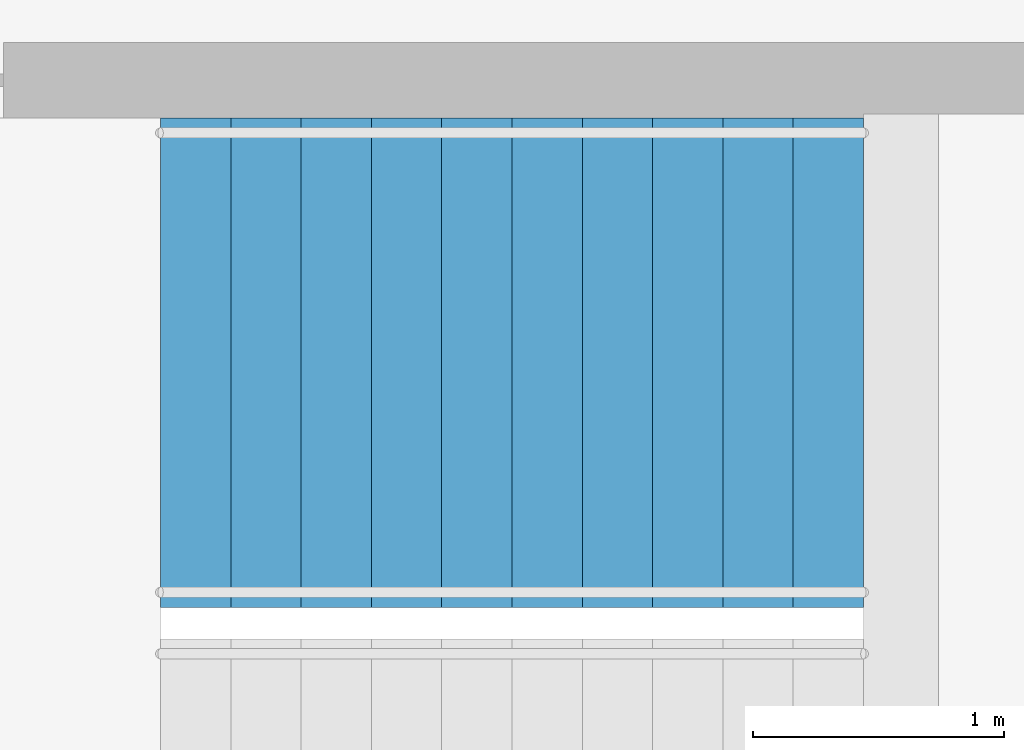
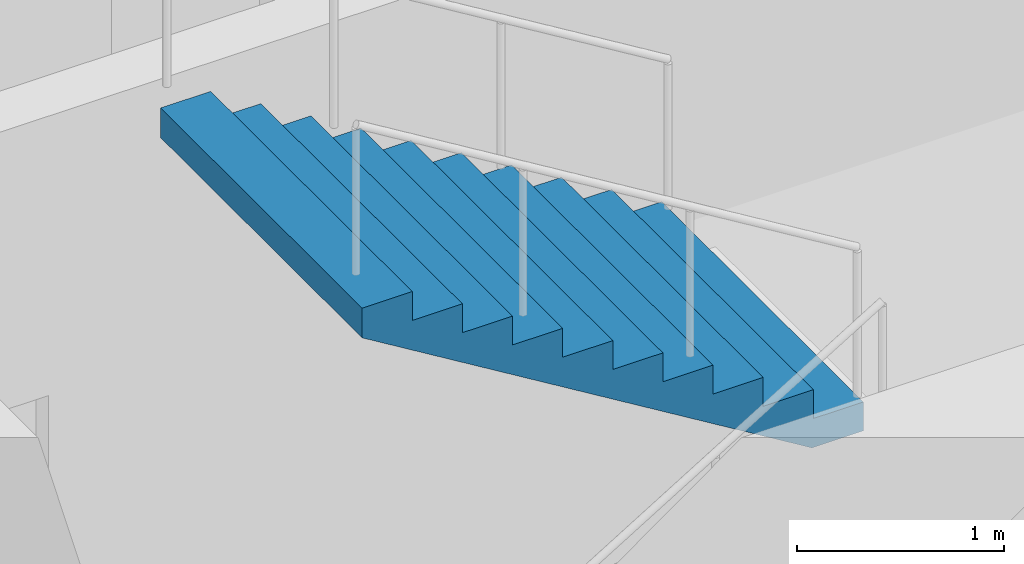
# One storey, part 20 of 23: 1 stair flight, 1 element without a shape of its own.
"""IFC4 building model written with IfcOpenShell, lengths in metres."""

from ifc_helpers import new_model, si_unit, direction, frame, origin, place, context, subcontext, project, spatial, triangles, material, type_object, element, aggregate, save


model = new_model("IFC4")

# Units and contexts
model_context = context("Model", 3, precision=1e-05, world=origin(), true_north=direction((0.0, 1.0)))
body_context = subcontext(model_context, "Body", "Model", "MODEL_VIEW")
ifc_project = project(units=[si_unit("LENGTHUNIT", "METRE"), si_unit("AREAUNIT", "SQUARE_METRE"), si_unit("VOLUMEUNIT", "CUBIC_METRE"), si_unit("PLANEANGLEUNIT", "RADIAN"), si_unit("MASSUNIT", "GRAM", prefix="KILO")], contexts=[model_context])

# Site, building, storey
site_placement = place(None, origin())
site = spatial("IfcSite", under=ifc_project, at=site_placement, CompositionType="ELEMENT")
building_placement = place(site_placement, origin())
building = spatial("IfcBuilding", under=site, at=building_placement, Name="Orbita Commons", CompositionType="ELEMENT")
storey_placement = place(building_placement, frame((0.0, 0.0, 174.85009765625)))
storey = spatial("IfcBuildingStorey", under=building, at=storey_placement, Name="L43", CompositionType="ELEMENT", Elevation=174.85009765625)

# Stair, stair flight
ifc_material_1 = material(Name="Precast concrete C40/50", Category="concrete")
stair_type = type_object("IfcStairType", Name="Exit stair S1 2 flights 11 risers 170", PredefinedType="HALF_TURN_STAIR", material=ifc_material_1)
stair_placement = place(storey_placement, origin())
stair = element("IfcStair", 1, at=stair_placement, inside=storey, type_object=stair_type, Name="Exit stair S1 L43", PredefinedType="HALF_TURN_STAIR")
ifc_material_2 = material(Name="Precast concrete C40/50", Category="concrete")
stair_flight_type = type_object("IfcStairFlightType", Name="Stair flight 11 risers 170 x 280", PredefinedType="STRAIGHT", material=ifc_material_2)
stair_flight_placement = place(storey_placement, frame((23.25, 29.27490234375, 1.875), z_axis=(0.0, 0.0, 1.0), x_axis=(-1.0, 0.0, 0.0)))
stair_flight = element("IfcStairFlight", 2, at=stair_flight_placement, type_object=stair_flight_type, Name="S1 flight 2", NumberOfRisers=11, NumberOfTreads=10, PredefinedType="STRAIGHT", RiserHeight=0.170454545, TreadLength=0.28, context=body_context, shape_type="Tessellation", body=[
    triangles([(0.0, 0.974976, 0.0), (0.0, 0.974976, 0.021307), (0.0, 0.81248, 0.021307), (0.0, 0.81248, 0.0), (0.0, 0.649984, 0.021307), (0.0, 0.649984, 0.0), (0.0, 0.487488, 0.021307), (0.0, 0.487488, 0.0), (0.0, 0.324992, 0.021307), (0.0, 0.324992, 0.0), (0.0, 0.162496, 0.021307), (0.0, 0.162496, 0.0), (0.0, 0.0, 0.021307), (0.0, 0.0, 0.0), (0.0, -0.162496, 0.021307), (0.0, -0.162496, 0.0), (0.0, -0.324992, 0.021307), (0.0, -0.324992, 0.0), (0.0, -0.487488, 0.021307), (0.0, -0.487488, 0.0), (0.0, -0.649984, 0.021307), (0.0, -0.649984, 0.0), (0.0, -0.81248, 0.021307), (0.0, -0.81248, 0.0), (0.0, -0.974976, 0.021307), (0.0, -0.974976, 0.0), (0.0, 0.974976, 0.042614), (0.0, 0.81248, 0.042614), (0.0, 0.649984, 0.042614), (0.0, 0.487488, 0.042614), (0.0, 0.324992, 0.042614), (0.0, 0.162496, 0.042614), (0.0, 0.0, 0.042614), (0.0, -0.162496, 0.042614), (0.0, -0.324992, 0.042614), (0.0, -0.487488, 0.042614), (0.0, -0.649984, 0.042614), (0.0, -0.81248, 0.042614), (0.0, -0.974976, 0.042614), (0.0, 0.974976, 0.06392), (0.0, 0.81248, 0.06392), (0.0, 0.649984, 0.06392), (0.0, 0.487488, 0.06392), (0.0, 0.324992, 0.06392), (0.0, 0.162496, 0.06392), (0.0, 0.0, 0.06392), (0.0, -0.162496, 0.06392), (0.0, -0.324992, 0.06392), (0.0, -0.487488, 0.06392), (0.0, -0.649984, 0.06392), (0.0, -0.81248, 0.06392), (0.0, -0.974976, 0.06392), (0.0, 0.974976, 0.085227), (0.0, 0.81248, 0.085227), (0.0, 0.649984, 0.085227), (0.0, 0.487488, 0.085227), (0.0, 0.324992, 0.085227), (0.0, 0.162496, 0.085227), (0.0, 0.0, 0.085227), (0.0, -0.162496, 0.085227), (0.0, -0.324992, 0.085227), (0.0, -0.487488, 0.085227), (0.0, -0.649984, 0.085227), (0.0, -0.81248, 0.085227), (0.0, -0.974976, 0.085227), (0.0, 0.974976, 0.106534), (0.0, 0.81248, 0.106534), (0.0, 0.649984, 0.106534), (0.0, 0.487488, 0.106534), (0.0, 0.324992, 0.106534), (0.0, 0.162496, 0.106534), (0.0, 0.0, 0.106534), (0.0, -0.162496, 0.106534), (0.0, -0.324992, 0.106534), (0.0, -0.487488, 0.106534), (0.0, -0.649984, 0.106534), (0.0, -0.81248, 0.106534), (0.0, -0.974976, 0.106534), (0.0, 0.974976, 0.127841), (0.0, 0.81248, 0.127841), (0.0, 0.649984, 0.127841), (0.0, 0.487488, 0.127841), (0.0, 0.324992, 0.127841), (0.0, 0.162496, 0.127841), (0.0, 0.0, 0.127841), (0.0, -0.162496, 0.127841), (0.0, -0.324992, 0.127841), (0.0, -0.487488, 0.127841), (0.0, -0.649984, 0.127841), (0.0, -0.81248, 0.127841), (0.0, -0.974976, 0.127841), (0.0, 0.974976, 0.149148), (0.0, 0.81248, 0.149148), (0.0, 0.649984, 0.149148), (0.0, 0.487488, 0.149148), (0.0, 0.324992, 0.149148), (0.0, 0.162496, 0.149148), (0.0, 0.0, 0.149148), (0.0, -0.162496, 0.149148), (0.0, -0.324992, 0.149148), (0.0, -0.487488, 0.149148), (0.0, -0.649984, 0.149148), (0.0, -0.81248, 0.149148), (0.0, -0.974976, 0.149148), (0.0, 0.974976, 0.170455), (0.0, 0.81248, 0.170455), (0.0, 0.649984, 0.170455), (0.0, 0.487488, 0.170455), (0.0, 0.324992, 0.170455), (0.0, 0.162496, 0.170455), (0.0, 0.0, 0.170455), (0.0, -0.162496, 0.170455), (0.0, -0.324992, 0.170455), (0.0, -0.487488, 0.170455), (0.0, -0.649984, 0.170455), (0.0, -0.81248, 0.170455), (0.0, -0.974976, 0.170455), (0.28, 0.974976, 0.170455), (0.28, 0.81248, 0.170455), (0.28, 0.649984, 0.170455), (0.28, 0.487488, 0.170455), (0.28, 0.324992, 0.170455), (0.28, 0.162496, 0.170455), (0.28, 0.0, 0.170455), (0.28, -0.162496, 0.170455), (0.28, -0.324992, 0.170455), (0.28, -0.487488, 0.170455), (0.28, -0.649984, 0.170455), (0.28, -0.81248, 0.170455), (0.28, -0.974976, 0.170455), (0.28, 0.974976, 0.340909), (0.28, 0.81248, 0.340909), (0.28, 0.649984, 0.340909), (0.28, 0.487488, 0.340909), (0.28, 0.324992, 0.340909), (0.28, 0.162496, 0.340909), (0.28, 0.0, 0.340909), (0.28, -0.162496, 0.340909), (0.28, -0.324992, 0.340909), (0.28, -0.487488, 0.340909), (0.28, -0.649984, 0.340909), (0.28, -0.81248, 0.340909), (0.28, -0.974976, 0.340909), (0.56, 0.974976, 0.340909), (0.56, 0.81248, 0.340909), (0.56, 0.649984, 0.340909), (0.56, 0.487488, 0.340909), (0.56, 0.324992, 0.340909), (0.56, 0.162496, 0.340909), (0.56, 0.0, 0.340909), (0.56, -0.162496, 0.340909), (0.56, -0.324992, 0.340909), (0.56, -0.487488, 0.340909), (0.56, -0.649984, 0.340909), (0.56, -0.81248, 0.340909), (0.56, -0.974976, 0.340909), (0.56, 0.974976, 0.511364), (0.56, 0.81248, 0.511364), (0.56, 0.649984, 0.511364), (0.56, 0.487488, 0.511364), (0.56, 0.324992, 0.511364), (0.56, 0.162496, 0.511364), (0.56, 0.0, 0.511364), (0.56, -0.162496, 0.511364), (0.56, -0.324992, 0.511364), (0.56, -0.487488, 0.511364), (0.56, -0.649984, 0.511364), (0.56, -0.81248, 0.511364), (0.56, -0.974976, 0.511364), (0.84, 0.974976, 0.511364), (0.84, 0.81248, 0.511364), (0.84, 0.649984, 0.511364), (0.84, 0.487488, 0.511364), (0.84, 0.324992, 0.511364), (0.84, 0.162496, 0.511364), (0.84, 0.0, 0.511364), (0.84, -0.162496, 0.511364), (0.84, -0.324992, 0.511364), (0.84, -0.487488, 0.511364), (0.84, -0.649984, 0.511364), (0.84, -0.81248, 0.511364), (0.84, -0.974976, 0.511364), (0.84, 0.974976, 0.681818), (0.84, 0.81248, 0.681818), (0.84, 0.649984, 0.681818), (0.84, 0.487488, 0.681818), (0.84, 0.324992, 0.681818), (0.84, 0.162496, 0.681818), (0.84, 0.0, 0.681818), (0.84, -0.162496, 0.681818), (0.84, -0.324992, 0.681818), (0.84, -0.487488, 0.681818), (0.84, -0.649984, 0.681818), (0.84, -0.81248, 0.681818), (0.84, -0.974976, 0.681818), (1.12, 0.974976, 0.681818), (1.12, 0.81248, 0.681818), (1.12, 0.649984, 0.681818), (1.12, 0.487488, 0.681818), (1.12, 0.324992, 0.681818), (1.12, 0.162496, 0.681818), (1.12, 0.0, 0.681818), (1.12, -0.162496, 0.681818), (1.12, -0.324992, 0.681818), (1.12, -0.487488, 0.681818), (1.12, -0.649984, 0.681818), (1.12, -0.81248, 0.681818), (1.12, -0.974976, 0.681818), (1.12, 0.974976, 0.852273), (1.12, 0.81248, 0.852273), (1.12, 0.649984, 0.852273), (1.12, 0.487488, 0.852273), (1.12, 0.324992, 0.852273), (1.12, 0.162496, 0.852273), (1.12, 0.0, 0.852273), (1.12, -0.162496, 0.852273), (1.12, -0.324992, 0.852273), (1.12, -0.487488, 0.852273), (1.12, -0.649984, 0.852273), (1.12, -0.81248, 0.852273), (1.12, -0.974976, 0.852273), (1.4, 0.974976, 0.852273), (1.4, 0.81248, 0.852273), (1.4, 0.649984, 0.852273), (1.4, 0.487488, 0.852273), (1.4, 0.324992, 0.852273), (1.4, 0.162496, 0.852273), (1.4, 0.0, 0.852273), (1.4, -0.162496, 0.852273), (1.4, -0.324992, 0.852273), (1.4, -0.487488, 0.852273), (1.4, -0.649984, 0.852273), (1.4, -0.81248, 0.852273), (1.4, -0.974976, 0.852273), (1.4, 0.974976, 1.022727), (1.4, 0.81248, 1.022727), (1.4, 0.649984, 1.022727), (1.4, 0.487488, 1.022727), (1.4, 0.324992, 1.022727), (1.4, 0.162496, 1.022727), (1.4, 0.0, 1.022727), (1.4, -0.162496, 1.022727), (1.4, -0.324992, 1.022727), (1.4, -0.487488, 1.022727), (1.4, -0.649984, 1.022727), (1.4, -0.81248, 1.022727), (1.4, -0.974976, 1.022727), (1.68, 0.974976, 1.022727), (1.68, 0.81248, 1.022727), (1.68, 0.649984, 1.022727), (1.68, 0.487488, 1.022727), (1.68, 0.324992, 1.022727), (1.68, 0.162496, 1.022727), (1.68, 0.0, 1.022727), (1.68, -0.162496, 1.022727), (1.68, -0.324992, 1.022727), (1.68, -0.487488, 1.022727), (1.68, -0.649984, 1.022727), (1.68, -0.81248, 1.022727), (1.68, -0.974976, 1.022727), (1.68, 0.974976, 1.193182), (1.68, 0.81248, 1.193182), (1.68, 0.649984, 1.193182), (1.68, 0.487488, 1.193182), (1.68, 0.324992, 1.193182), (1.68, 0.162496, 1.193182), (1.68, 0.0, 1.193182), (1.68, -0.162496, 1.193182), (1.68, -0.324992, 1.193182), (1.68, -0.487488, 1.193182), (1.68, -0.649984, 1.193182), (1.68, -0.81248, 1.193182), (1.68, -0.974976, 1.193182), (1.96, 0.974976, 1.193182), (1.96, 0.81248, 1.193182), (1.96, 0.649984, 1.193182), (1.96, 0.487488, 1.193182), (1.96, 0.324992, 1.193182), (1.96, 0.162496, 1.193182), (1.96, 0.0, 1.193182), (1.96, -0.162496, 1.193182), (1.96, -0.324992, 1.193182), (1.96, -0.487488, 1.193182), (1.96, -0.649984, 1.193182), (1.96, -0.81248, 1.193182), (1.96, -0.974976, 1.193182), (1.96, 0.974976, 1.363636), (1.96, 0.81248, 1.363636), (1.96, 0.649984, 1.363636), (1.96, 0.487488, 1.363636), (1.96, 0.324992, 1.363636), (1.96, 0.162496, 1.363636), (1.96, 0.0, 1.363636), (1.96, -0.162496, 1.363636), (1.96, -0.324992, 1.363636), (1.96, -0.487488, 1.363636), (1.96, -0.649984, 1.363636), (1.96, -0.81248, 1.363636), (1.96, -0.974976, 1.363636), (2.24, 0.974976, 1.363636), (2.24, 0.81248, 1.363636), (2.24, 0.649984, 1.363636), (2.24, 0.487488, 1.363636), (2.24, 0.324992, 1.363636), (2.24, 0.162496, 1.363636), (2.24, 0.0, 1.363636), (2.24, -0.162496, 1.363636), (2.24, -0.324992, 1.363636), (2.24, -0.487488, 1.363636), (2.24, -0.649984, 1.363636), (2.24, -0.81248, 1.363636), (2.24, -0.974976, 1.363636), (2.24, 0.974976, 1.534091), (2.24, 0.81248, 1.534091), (2.24, 0.649984, 1.534091), (2.24, 0.487488, 1.534091), (2.24, 0.324992, 1.534091), (2.24, 0.162496, 1.534091), (2.24, 0.0, 1.534091), (2.24, -0.162496, 1.534091), (2.24, -0.324992, 1.534091), (2.24, -0.487488, 1.534091), (2.24, -0.649984, 1.534091), (2.24, -0.81248, 1.534091), (2.24, -0.974976, 1.534091), (2.52, 0.974976, 1.534091), (2.52, 0.81248, 1.534091), (2.52, 0.649984, 1.534091), (2.52, 0.487488, 1.534091), (2.52, 0.324992, 1.534091), (2.52, 0.162496, 1.534091), (2.52, 0.0, 1.534091), (2.52, -0.162496, 1.534091), (2.52, -0.324992, 1.534091), (2.52, -0.487488, 1.534091), (2.52, -0.649984, 1.534091), (2.52, -0.81248, 1.534091), (2.52, -0.974976, 1.534091), (2.52, 0.974976, 1.704545), (2.52, 0.81248, 1.704545), (2.52, 0.649984, 1.704545), (2.52, 0.487488, 1.704545), (2.52, 0.324992, 1.704545), (2.52, 0.162496, 1.704545), (2.52, 0.0, 1.704545), (2.52, -0.162496, 1.704545), (2.52, -0.324992, 1.704545), (2.52, -0.487488, 1.704545), (2.52, -0.649984, 1.704545), (2.52, -0.81248, 1.704545), (2.52, -0.974976, 1.704545), (2.8, 0.974976, 1.704545), (2.8, 0.81248, 1.704545), (2.8, 0.649984, 1.704545), (2.8, 0.487488, 1.704545), (2.8, 0.324992, 1.704545), (2.8, 0.162496, 1.704545), (2.8, 0.0, 1.704545), (2.8, -0.162496, 1.704545), (2.8, -0.324992, 1.704545), (2.8, -0.487488, 1.704545), (2.8, -0.649984, 1.704545), (2.8, -0.81248, 1.704545), (2.8, -0.974976, 1.704545), (2.8, 0.974976, 1.682609), (2.8, 0.81248, 1.682609), (2.8, 0.649984, 1.682609), (2.8, 0.487488, 1.682609), (2.8, 0.324992, 1.682609), (2.8, 0.162496, 1.682609), (2.8, 0.0, 1.682609), (2.8, -0.162496, 1.682609), (2.8, -0.324992, 1.682609), (2.8, -0.487488, 1.682609), (2.8, -0.649984, 1.682609), (2.8, -0.81248, 1.682609), (2.8, -0.974976, 1.682609), (2.8, 0.974976, 1.660672), (2.8, 0.81248, 1.660672), (2.8, 0.649984, 1.660672), (2.8, 0.487488, 1.660672), (2.8, 0.324992, 1.660672), (2.8, 0.162496, 1.660672), (2.8, 0.0, 1.660672), (2.8, -0.162496, 1.660672), (2.8, -0.324992, 1.660672), (2.8, -0.487488, 1.660672), (2.8, -0.649984, 1.660672), (2.8, -0.81248, 1.660672), (2.8, -0.974976, 1.660672), (2.8, 0.974976, 1.638735), (2.8, 0.81248, 1.638735), (2.8, 0.649984, 1.638735), (2.8, 0.487488, 1.638735), (2.8, 0.324992, 1.638735), (2.8, 0.162496, 1.638735), (2.8, 0.0, 1.638735), (2.8, -0.162496, 1.638735), (2.8, -0.324992, 1.638735), (2.8, -0.487488, 1.638735), (2.8, -0.649984, 1.638735), (2.8, -0.81248, 1.638735), (2.8, -0.974976, 1.638735), (2.8, 0.974976, 1.616798), (2.8, 0.81248, 1.616798), (2.8, 0.649984, 1.616798), (2.8, 0.487488, 1.616798), (2.8, 0.324992, 1.616798), (2.8, 0.162496, 1.616798), (2.8, 0.0, 1.616798), (2.8, -0.162496, 1.616798), (2.8, -0.324992, 1.616798), (2.8, -0.487488, 1.616798), (2.8, -0.649984, 1.616798), (2.8, -0.81248, 1.616798), (2.8, -0.974976, 1.616798), (2.8, 0.974976, 1.594861), (2.8, 0.81248, 1.594861), (2.8, 0.649984, 1.594861), (2.8, 0.487488, 1.594861), (2.8, 0.324992, 1.594861), (2.8, 0.162496, 1.594861), (2.8, 0.0, 1.594861), (2.8, -0.162496, 1.594861), (2.8, -0.324992, 1.594861), (2.8, -0.487488, 1.594861), (2.8, -0.649984, 1.594861), (2.8, -0.81248, 1.594861), (2.8, -0.974976, 1.594861), (2.8, 0.974976, 1.572925), (2.8, 0.81248, 1.572925), (2.8, 0.649984, 1.572925), (2.8, 0.487488, 1.572925), (2.8, 0.324992, 1.572925), (2.8, 0.162496, 1.572925), (2.8, 0.0, 1.572925), (2.8, -0.162496, 1.572925), (2.8, -0.324992, 1.572925), (2.8, -0.487488, 1.572925), (2.8, -0.649984, 1.572925), (2.8, -0.81248, 1.572925), (2.8, -0.974976, 1.572925), (2.8, 0.974976, 1.550988), (2.8, 0.81248, 1.550988), (2.8, 0.649984, 1.550988), (2.8, 0.487488, 1.550988), (2.8, 0.324992, 1.550988), (2.8, 0.162496, 1.550988), (2.8, 0.0, 1.550988), (2.8, -0.162496, 1.550988), (2.8, -0.324992, 1.550988), (2.8, -0.487488, 1.550988), (2.8, -0.649984, 1.550988), (2.8, -0.81248, 1.550988), (2.8, -0.974976, 1.550988), (2.8, 0.974976, 1.529051), (2.8, 0.81248, 1.529051), (2.8, 0.649984, 1.529051), (2.8, 0.487488, 1.529051), (2.8, 0.324992, 1.529051), (2.8, 0.162496, 1.529051), (2.8, 0.0, 1.529051), (2.8, -0.162496, 1.529051), (2.8, -0.324992, 1.529051), (2.8, -0.487488, 1.529051), (2.8, -0.649984, 1.529051), (2.8, -0.81248, 1.529051), (2.8, -0.974976, 1.529051), (0.288279, 0.974976, 0.0), (0.288279, 0.81248, 0.0), (0.288279, 0.649984, 0.0), (0.288279, 0.487488, 0.0), (0.288279, 0.324992, 0.0), (0.288279, 0.162496, 0.0), (0.288279, 0.0, 0.0), (0.288279, -0.162496, 0.0), (0.288279, -0.324992, 0.0), (0.288279, -0.487488, 0.0), (0.288279, -0.649984, 0.0), (0.288279, -0.81248, 0.0), (0.288279, -0.974976, 0.0)], [[3, 2, 1], [4, 3, 1], [5, 3, 4], [6, 5, 4], [7, 5, 6], [8, 7, 6], [9, 7, 8], [10, 9, 8], [11, 9, 10], [12, 11, 10], [13, 11, 12], [14, 13, 12], [15, 13, 14], [16, 15, 14], [17, 15, 16], [18, 17, 16], [19, 17, 18], [20, 19, 18], [21, 19, 20], [22, 21, 20], [23, 21, 22], [24, 23, 22], [25, 23, 24], [26, 25, 24], [28, 27, 2], [3, 28, 2], [29, 28, 3], [5, 29, 3], [30, 29, 5], [7, 30, 5], [31, 30, 7], [9, 31, 7], [32, 31, 9], [11, 32, 9], [33, 32, 11], [13, 33, 11], [34, 33, 13], [15, 34, 13], [35, 34, 15], [17, 35, 15], [36, 35, 17], [19, 36, 17], [37, 36, 19], [21, 37, 19], [38, 37, 21], [23, 38, 21], [39, 38, 23], [25, 39, 23], [41, 40, 27], [28, 41, 27], [42, 41, 28], [29, 42, 28], [43, 42, 29], [30, 43, 29], [44, 43, 30], [31, 44, 30], [45, 44, 31], [32, 45, 31], [46, 45, 32], [33, 46, 32], [47, 46, 33], [34, 47, 33], [48, 47, 34], [35, 48, 34], [49, 48, 35], [36, 49, 35], [50, 49, 36], [37, 50, 36], [51, 50, 37], [38, 51, 37], [52, 51, 38], [39, 52, 38], [54, 53, 40], [41, 54, 40], [55, 54, 41], [42, 55, 41], [56, 55, 42], [43, 56, 42], [57, 56, 43], [44, 57, 43], [58, 57, 44], [45, 58, 44], [59, 58, 45], [46, 59, 45], [60, 59, 46], [47, 60, 46], [61, 60, 47], [48, 61, 47], [62, 61, 48], [49, 62, 48], [63, 62, 49], [50, 63, 49], [64, 63, 50], [51, 64, 50], [65, 64, 51], [52, 65, 51], [67, 66, 53], [54, 67, 53], [68, 67, 54], [55, 68, 54], [69, 68, 55], [56, 69, 55], [70, 69, 56], [57, 70, 56], [71, 70, 57], [58, 71, 57], [72, 71, 58], [59, 72, 58], [73, 72, 59], [60, 73, 59], [74, 73, 60], [61, 74, 60], [75, 74, 61], [62, 75, 61], [76, 75, 62], [63, 76, 62], [77, 76, 63], [64, 77, 63], [78, 77, 64], [65, 78, 64], [80, 79, 66], [67, 80, 66], [81, 80, 67], [68, 81, 67], [82, 81, 68], [69, 82, 68], [83, 82, 69], [70, 83, 69], [84, 83, 70], [71, 84, 70], [85, 84, 71], [72, 85, 71], [86, 85, 72], [73, 86, 72], [87, 86, 73], [74, 87, 73], [88, 87, 74], [75, 88, 74], [89, 88, 75], [76, 89, 75], [90, 89, 76], [77, 90, 76], [91, 90, 77], [78, 91, 77], [93, 92, 79], [80, 93, 79], [94, 93, 80], [81, 94, 80], [95, 94, 81], [82, 95, 81], [96, 95, 82], [83, 96, 82], [97, 96, 83], [84, 97, 83], [98, 97, 84], [85, 98, 84], [99, 98, 85], [86, 99, 85], [100, 99, 86], [87, 100, 86], [101, 100, 87], [88, 101, 87], [102, 101, 88], [89, 102, 88], [103, 102, 89], [90, 103, 89], [104, 103, 90], [91, 104, 90], [106, 105, 92], [93, 106, 92], [107, 106, 93], [94, 107, 93], [108, 107, 94], [95, 108, 94], [109, 108, 95], [96, 109, 95], [110, 109, 96], [97, 110, 96], [111, 110, 97], [98, 111, 97], [112, 111, 98], [99, 112, 98], [113, 112, 99], [100, 113, 99], [114, 113, 100], [101, 114, 100], [115, 114, 101], [102, 115, 101], [116, 115, 102], [103, 116, 102], [117, 116, 103], [104, 117, 103], [119, 118, 105], [106, 119, 105], [120, 119, 106], [107, 120, 106], [121, 120, 107], [108, 121, 107], [122, 121, 108], [109, 122, 108], [123, 122, 109], [110, 123, 109], [124, 123, 110], [111, 124, 110], [125, 124, 111], [112, 125, 111], [126, 125, 112], [113, 126, 112], [127, 126, 113], [114, 127, 113], [128, 127, 114], [115, 128, 114], [129, 128, 115], [116, 129, 115], [130, 129, 116], [117, 130, 116], [132, 131, 118], [119, 132, 118], [133, 132, 119], [120, 133, 119], [134, 133, 120], [121, 134, 120], [135, 134, 121], [122, 135, 121], [136, 135, 122], [123, 136, 122], [137, 136, 123], [124, 137, 123], [138, 137, 124], [125, 138, 124], [139, 138, 125], [126, 139, 125], [140, 139, 126], [127, 140, 126], [141, 140, 127], [128, 141, 127], [142, 141, 128], [129, 142, 128], [143, 142, 129], [130, 143, 129], [145, 144, 131], [132, 145, 131], [146, 145, 132], [133, 146, 132], [147, 146, 133], [134, 147, 133], [148, 147, 134], [135, 148, 134], [149, 148, 135], [136, 149, 135], [150, 149, 136], [137, 150, 136], [151, 150, 137], [138, 151, 137], [152, 151, 138], [139, 152, 138], [153, 152, 139], [140, 153, 139], [154, 153, 140], [141, 154, 140], [155, 154, 141], [142, 155, 141], [156, 155, 142], [143, 156, 142], [158, 157, 144], [145, 158, 144], [159, 158, 145], [146, 159, 145], [160, 159, 146], [147, 160, 146], [161, 160, 147], [148, 161, 147], [162, 161, 148], [149, 162, 148], [163, 162, 149], [150, 163, 149], [164, 163, 150], [151, 164, 150], [165, 164, 151], [152, 165, 151], [166, 165, 152], [153, 166, 152], [167, 166, 153], [154, 167, 153], [168, 167, 154], [155, 168, 154], [169, 168, 155], [156, 169, 155], [171, 170, 157], [158, 171, 157], [172, 171, 158], [159, 172, 158], [173, 172, 159], [160, 173, 159], [174, 173, 160], [161, 174, 160], [175, 174, 161], [162, 175, 161], [176, 175, 162], [163, 176, 162], [177, 176, 163], [164, 177, 163], [178, 177, 164], [165, 178, 164], [179, 178, 165], [166, 179, 165], [180, 179, 166], [167, 180, 166], [181, 180, 167], [168, 181, 167], [182, 181, 168], [169, 182, 168], [184, 183, 170], [171, 184, 170], [185, 184, 171], [172, 185, 171], [186, 185, 172], [173, 186, 172], [187, 186, 173], [174, 187, 173], [188, 187, 174], [175, 188, 174], [189, 188, 175], [176, 189, 175], [190, 189, 176], [177, 190, 176], [191, 190, 177], [178, 191, 177], [192, 191, 178], [179, 192, 178], [193, 192, 179], [180, 193, 179], [194, 193, 180], [181, 194, 180], [195, 194, 181], [182, 195, 181], [197, 196, 183], [184, 197, 183], [198, 197, 184], [185, 198, 184], [199, 198, 185], [186, 199, 185], [200, 199, 186], [187, 200, 186], [201, 200, 187], [188, 201, 187], [202, 201, 188], [189, 202, 188], [203, 202, 189], [190, 203, 189], [204, 203, 190], [191, 204, 190], [205, 204, 191], [192, 205, 191], [206, 205, 192], [193, 206, 192], [207, 206, 193], [194, 207, 193], [208, 207, 194], [195, 208, 194], [210, 209, 196], [197, 210, 196], [211, 210, 197], [198, 211, 197], [212, 211, 198], [199, 212, 198], [213, 212, 199], [200, 213, 199], [214, 213, 200], [201, 214, 200], [215, 214, 201], [202, 215, 201], [216, 215, 202], [203, 216, 202], [217, 216, 203], [204, 217, 203], [218, 217, 204], [205, 218, 204], [219, 218, 205], [206, 219, 205], [220, 219, 206], [207, 220, 206], [221, 220, 207], [208, 221, 207], [223, 222, 209], [210, 223, 209], [224, 223, 210], [211, 224, 210], [225, 224, 211], [212, 225, 211], [226, 225, 212], [213, 226, 212], [227, 226, 213], [214, 227, 213], [228, 227, 214], [215, 228, 214], [229, 228, 215], [216, 229, 215], [230, 229, 216], [217, 230, 216], [231, 230, 217], [218, 231, 217], [232, 231, 218], [219, 232, 218], [233, 232, 219], [220, 233, 219], [234, 233, 220], [221, 234, 220], [236, 235, 222], [223, 236, 222], [237, 236, 223], [224, 237, 223], [238, 237, 224], [225, 238, 224], [239, 238, 225], [226, 239, 225], [240, 239, 226], [227, 240, 226], [241, 240, 227], [228, 241, 227], [242, 241, 228], [229, 242, 228], [243, 242, 229], [230, 243, 229], [244, 243, 230], [231, 244, 230], [245, 244, 231], [232, 245, 231], [246, 245, 232], [233, 246, 232], [247, 246, 233], [234, 247, 233], [249, 248, 235], [236, 249, 235], [250, 249, 236], [237, 250, 236], [251, 250, 237], [238, 251, 237], [252, 251, 238], [239, 252, 238], [253, 252, 239], [240, 253, 239], [254, 253, 240], [241, 254, 240], [255, 254, 241], [242, 255, 241], [256, 255, 242], [243, 256, 242], [257, 256, 243], [244, 257, 243], [258, 257, 244], [245, 258, 244], [259, 258, 245], [246, 259, 245], [260, 259, 246], [247, 260, 246], [262, 261, 248], [249, 262, 248], [263, 262, 249], [250, 263, 249], [264, 263, 250], [251, 264, 250], [265, 264, 251], [252, 265, 251], [266, 265, 252], [253, 266, 252], [267, 266, 253], [254, 267, 253], [268, 267, 254], [255, 268, 254], [269, 268, 255], [256, 269, 255], [270, 269, 256], [257, 270, 256], [271, 270, 257], [258, 271, 257], [272, 271, 258], [259, 272, 258], [273, 272, 259], [260, 273, 259], [275, 274, 261], [262, 275, 261], [276, 275, 262], [263, 276, 262], [277, 276, 263], [264, 277, 263], [278, 277, 264], [265, 278, 264], [279, 278, 265], [266, 279, 265], [280, 279, 266], [267, 280, 266], [281, 280, 267], [268, 281, 267], [282, 281, 268], [269, 282, 268], [283, 282, 269], [270, 283, 269], [284, 283, 270], [271, 284, 270], [285, 284, 271], [272, 285, 271], [286, 285, 272], [273, 286, 272], [288, 287, 274], [275, 288, 274], [289, 288, 275], [276, 289, 275], [290, 289, 276], [277, 290, 276], [291, 290, 277], [278, 291, 277], [292, 291, 278], [279, 292, 278], [293, 292, 279], [280, 293, 279], [294, 293, 280], [281, 294, 280], [295, 294, 281], [282, 295, 281], [296, 295, 282], [283, 296, 282], [297, 296, 283], [284, 297, 283], [298, 297, 284], [285, 298, 284], [299, 298, 285], [286, 299, 285], [301, 300, 287], [288, 301, 287], [302, 301, 288], [289, 302, 288], [303, 302, 289], [290, 303, 289], [304, 303, 290], [291, 304, 290], [305, 304, 291], [292, 305, 291], [306, 305, 292], [293, 306, 292], [307, 306, 293], [294, 307, 293], [308, 307, 294], [295, 308, 294], [309, 308, 295], [296, 309, 295], [310, 309, 296], [297, 310, 296], [311, 310, 297], [298, 311, 297], [312, 311, 298], [299, 312, 298], [314, 313, 300], [301, 314, 300], [315, 314, 301], [302, 315, 301], [316, 315, 302], [303, 316, 302], [317, 316, 303], [304, 317, 303], [318, 317, 304], [305, 318, 304], [319, 318, 305], [306, 319, 305], [320, 319, 306], [307, 320, 306], [321, 320, 307], [308, 321, 307], [322, 321, 308], [309, 322, 308], [323, 322, 309], [310, 323, 309], [324, 323, 310], [311, 324, 310], [325, 324, 311], [312, 325, 311], [327, 326, 313], [314, 327, 313], [328, 327, 314], [315, 328, 314], [329, 328, 315], [316, 329, 315], [330, 329, 316], [317, 330, 316], [331, 330, 317], [318, 331, 317], [332, 331, 318], [319, 332, 318], [333, 332, 319], [320, 333, 319], [334, 333, 320], [321, 334, 320], [335, 334, 321], [322, 335, 321], [336, 335, 322], [323, 336, 322], [337, 336, 323], [324, 337, 323], [338, 337, 324], [325, 338, 324], [340, 339, 326], [327, 340, 326], [341, 340, 327], [328, 341, 327], [342, 341, 328], [329, 342, 328], [343, 342, 329], [330, 343, 329], [344, 343, 330], [331, 344, 330], [345, 344, 331], [332, 345, 331], [346, 345, 332], [333, 346, 332], [347, 346, 333], [334, 347, 333], [348, 347, 334], [335, 348, 334], [349, 348, 335], [336, 349, 335], [350, 349, 336], [337, 350, 336], [351, 350, 337], [338, 351, 337], [353, 352, 339], [340, 353, 339], [354, 353, 340], [341, 354, 340], [355, 354, 341], [342, 355, 341], [356, 355, 342], [343, 356, 342], [357, 356, 343], [344, 357, 343], [358, 357, 344], [345, 358, 344], [359, 358, 345], [346, 359, 345], [360, 359, 346], [347, 360, 346], [361, 360, 347], [348, 361, 347], [362, 361, 348], [349, 362, 348], [363, 362, 349], [350, 363, 349], [364, 363, 350], [351, 364, 350], [366, 365, 352], [353, 366, 352], [367, 366, 353], [354, 367, 353], [368, 367, 354], [355, 368, 354], [369, 368, 355], [356, 369, 355], [370, 369, 356], [357, 370, 356], [371, 370, 357], [358, 371, 357], [372, 371, 358], [359, 372, 358], [373, 372, 359], [360, 373, 359], [374, 373, 360], [361, 374, 360], [375, 374, 361], [362, 375, 361], [376, 375, 362], [363, 376, 362], [377, 376, 363], [364, 377, 363], [379, 378, 365], [366, 379, 365], [380, 379, 366], [367, 380, 366], [381, 380, 367], [368, 381, 367], [382, 381, 368], [369, 382, 368], [383, 382, 369], [370, 383, 369], [384, 383, 370], [371, 384, 370], [385, 384, 371], [372, 385, 371], [386, 385, 372], [373, 386, 372], [387, 386, 373], [374, 387, 373], [388, 387, 374], [375, 388, 374], [389, 388, 375], [376, 389, 375], [390, 389, 376], [377, 390, 376], [392, 391, 378], [379, 392, 378], [393, 392, 379], [380, 393, 379], [394, 393, 380], [381, 394, 380], [395, 394, 381], [382, 395, 381], [396, 395, 382], [383, 396, 382], [397, 396, 383], [384, 397, 383], [398, 397, 384], [385, 398, 384], [399, 398, 385], [386, 399, 385], [400, 399, 386], [387, 400, 386], [401, 400, 387], [388, 401, 387], [402, 401, 388], [389, 402, 388], [403, 402, 389], [390, 403, 389], [405, 404, 391], [392, 405, 391], [406, 405, 392], [393, 406, 392], [407, 406, 393], [394, 407, 393], [408, 407, 394], [395, 408, 394], [409, 408, 395], [396, 409, 395], [410, 409, 396], [397, 410, 396], [411, 410, 397], [398, 411, 397], [412, 411, 398], [399, 412, 398], [413, 412, 399], [400, 413, 399], [414, 413, 400], [401, 414, 400], [415, 414, 401], [402, 415, 401], [416, 415, 402], [403, 416, 402], [418, 417, 404], [405, 418, 404], [419, 418, 405], [406, 419, 405], [420, 419, 406], [407, 420, 406], [421, 420, 407], [408, 421, 407], [422, 421, 408], [409, 422, 408], [423, 422, 409], [410, 423, 409], [424, 423, 410], [411, 424, 410], [425, 424, 411], [412, 425, 411], [426, 425, 412], [413, 426, 412], [427, 426, 413], [414, 427, 413], [428, 427, 414], [415, 428, 414], [429, 428, 415], [416, 429, 415], [431, 430, 417], [418, 431, 417], [432, 431, 418], [419, 432, 418], [433, 432, 419], [420, 433, 419], [434, 433, 420], [421, 434, 420], [435, 434, 421], [422, 435, 421], [436, 435, 422], [423, 436, 422], [437, 436, 423], [424, 437, 423], [438, 437, 424], [425, 438, 424], [439, 438, 425], [426, 439, 425], [440, 439, 426], [427, 440, 426], [441, 440, 427], [428, 441, 427], [442, 441, 428], [429, 442, 428], [444, 443, 430], [431, 444, 430], [445, 444, 431], [432, 445, 431], [446, 445, 432], [433, 446, 432], [447, 446, 433], [434, 447, 433], [448, 447, 434], [435, 448, 434], [449, 448, 435], [436, 449, 435], [450, 449, 436], [437, 450, 436], [451, 450, 437], [438, 451, 437], [452, 451, 438], [439, 452, 438], [453, 452, 439], [440, 453, 439], [454, 453, 440], [441, 454, 440], [455, 454, 441], [442, 455, 441], [457, 456, 443], [444, 457, 443], [458, 457, 444], [445, 458, 444], [459, 458, 445], [446, 459, 445], [460, 459, 446], [447, 460, 446], [461, 460, 447], [448, 461, 447], [462, 461, 448], [449, 462, 448], [463, 462, 449], [450, 463, 449], [464, 463, 450], [451, 464, 450], [465, 464, 451], [452, 465, 451], [466, 465, 452], [453, 466, 452], [467, 466, 453], [454, 467, 453], [468, 467, 454], [455, 468, 454], [470, 469, 456], [457, 470, 456], [471, 470, 457], [458, 471, 457], [472, 471, 458], [459, 472, 458], [473, 472, 459], [460, 473, 459], [474, 473, 460], [461, 474, 460], [475, 474, 461], [462, 475, 461], [476, 475, 462], [463, 476, 462], [477, 476, 463], [464, 477, 463], [478, 477, 464], [465, 478, 464], [479, 478, 465], [466, 479, 465], [480, 479, 466], [467, 480, 466], [481, 480, 467], [468, 481, 467], [4, 1, 469], [470, 4, 469], [6, 4, 470], [471, 6, 470], [8, 6, 471], [472, 8, 471], [10, 8, 472], [473, 10, 472], [12, 10, 473], [474, 12, 473], [14, 12, 474], [475, 14, 474], [16, 14, 475], [476, 16, 475], [18, 16, 476], [477, 18, 476], [20, 18, 477], [478, 20, 477], [22, 20, 478], [479, 22, 478], [24, 22, 479], [480, 24, 479], [26, 24, 480], [481, 26, 480], [456, 469, 1], [26, 481, 468], [443, 456, 1], [26, 468, 455], [430, 443, 1], [26, 455, 442], [417, 430, 1], [26, 442, 429], [404, 417, 1], [26, 429, 416], [391, 404, 1], [26, 416, 403], [378, 391, 1], [26, 403, 390], [365, 378, 1], [26, 390, 377], [339, 352, 365], [377, 364, 351], [326, 339, 365], [377, 351, 338], [300, 313, 326], [338, 325, 312], [300, 326, 365], [377, 338, 312], [274, 287, 300], [312, 299, 286], [274, 300, 365], [377, 312, 286], [248, 261, 274], [286, 273, 260], [248, 274, 365], [377, 286, 260], [222, 235, 248], [260, 247, 234], [222, 248, 365], [377, 260, 234], [196, 209, 222], [234, 221, 208], [196, 222, 365], [377, 234, 208], [170, 183, 196], [208, 195, 182], [170, 196, 365], [377, 208, 182], [144, 157, 170], [182, 169, 156], [144, 170, 365], [377, 182, 156], [118, 131, 144], [156, 143, 130], [118, 144, 365], [377, 156, 130], [118, 365, 1], [26, 377, 130], [92, 105, 118], [130, 117, 104], [79, 92, 118], [130, 104, 91], [66, 79, 118], [130, 91, 78], [53, 66, 118], [130, 78, 65], [40, 53, 118], [130, 65, 52], [27, 40, 118], [130, 52, 39], [2, 27, 118], [130, 39, 25], [1, 2, 118], [130, 25, 26]], closed=True),
])
aggregate(stair, [stair_flight])

save(model, "model.ifc")
